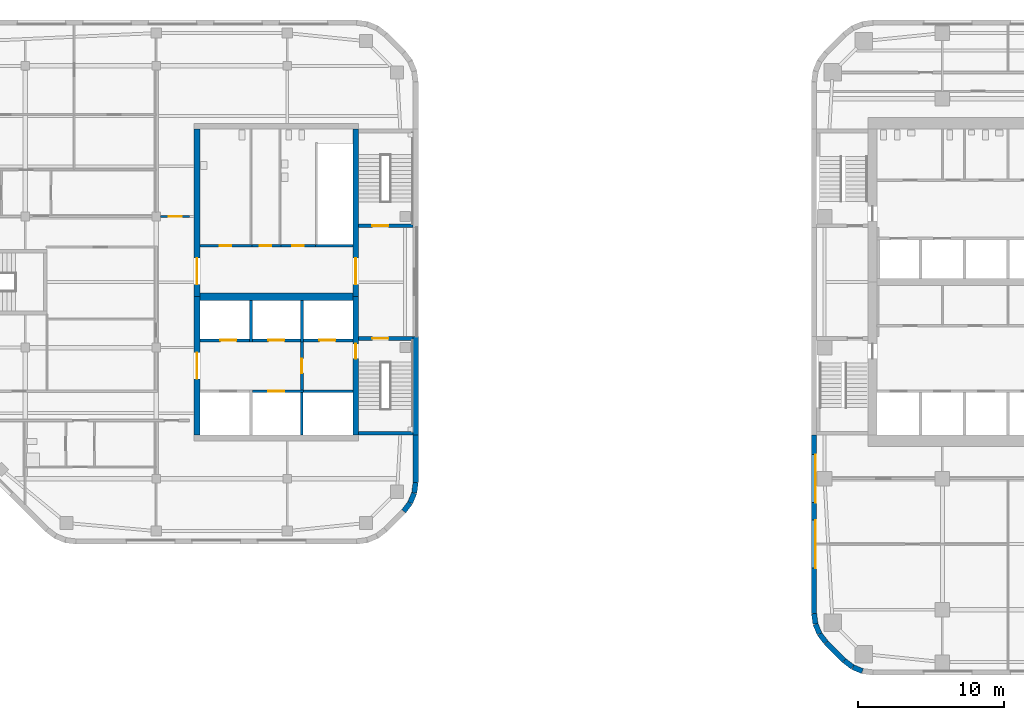
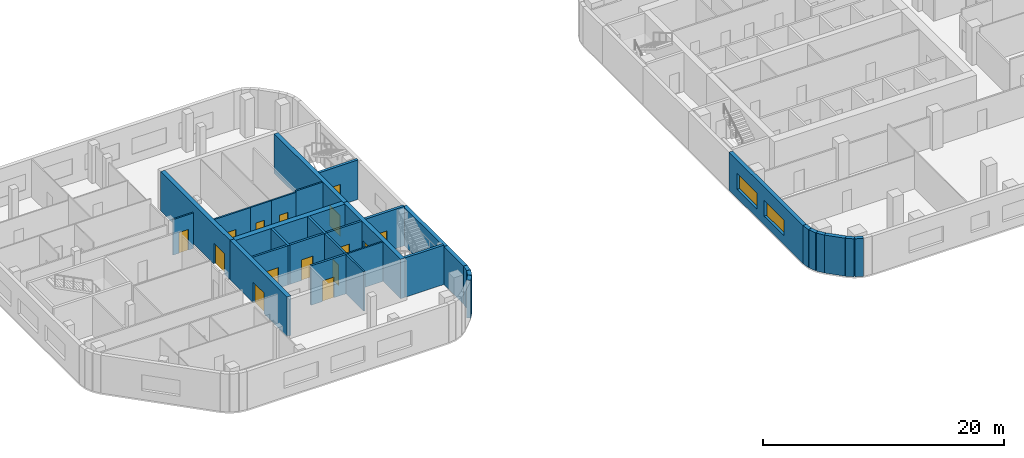
# One storey, part 6 of 14: 34 walls, 15 doors, 2 windows, 17 openings.
"""IFC4 building model written with IfcOpenShell, lengths in metres."""

from ifc_helpers import new_model, si_unit, direction, frame, frame_2d, origin, place, context, subcontext, project, spatial, rectangle, extrude, material, layer, layer_set, type_object, element, fill, save


model = new_model("IFC4")

# Units and contexts
model_context = context("Model", 3, precision=1e-05, world=origin(), true_north=direction((0.0, 1.0)))
body_context = subcontext(model_context, "Body", "Model", "MODEL_VIEW")
ifc_project = project(units=[si_unit("LENGTHUNIT", "METRE"), si_unit("AREAUNIT", "SQUARE_METRE"), si_unit("VOLUMEUNIT", "CUBIC_METRE"), si_unit("PLANEANGLEUNIT", "RADIAN"), si_unit("MASSUNIT", "GRAM", prefix="KILO")], contexts=[model_context])

# Site, building, storey
site_placement = place(None, origin())
site = spatial("IfcSite", under=ifc_project, at=site_placement, CompositionType="ELEMENT")
building_placement = place(site_placement, origin())
building = spatial("IfcBuilding", under=site, at=building_placement, Name="Cinnabar Reach Civic Tower", CompositionType="ELEMENT")
storey_placement = place(building_placement, frame((0.0, 0.0, 112.0)))
storey = spatial("IfcBuildingStorey", under=building, at=storey_placement, Name="L26", CompositionType="ELEMENT", Elevation=112.0)

# Walls
ifc_material_1 = material(Name="Facing brick with insulated backing", Category="masonry")
ifc_layer_1 = layer(ifc_material_1, 0.36)
ifc_layer_set_1 = layer_set([ifc_layer_1], Name="Brick corner wall")
wall_type_1 = type_object("IfcWallType", Name="Brick corner wall", PredefinedType="STANDARD", material=ifc_layer_set_1)
for number, where, z_axis, x_axis, name in (
    (1, (0.183, 8.7314, 0.0), (0.0, 0.0, 1.0), (0.13055608231, -0.99144092581, 0.0), "Brick corner wall"),
    (2, (0.2819, 8.0027, 0.0), (0.0, 0.0, 1.0), (0.382702709855, -0.923871547278, 0.0), "Brick corner wall"),
):
    element("IfcWall", number, at=place(storey_placement, frame(where, z_axis=z_axis, x_axis=x_axis)), inside=storey, type_object=wall_type_1, Name=name, PredefinedType="STANDARD", context=body_context, shape_type="SweptSolid", body=[
        extrude(rectangle(XDim=0.7131, YDim=0.36, at=frame_2d((0.3565, 0.0))), origin(), (0.0, 0.0, 1.0), 3.85),
    ])
for number, where, z_axis, x_axis, name in (
    (3, (0.566, 7.3245, 0.0), (0.0, 0.0, 1.0), (0.608802368033, -0.793321924995, 0.0), "Brick corner wall"),
    (4, (2.2587, 5.5002, 0.0), (0.0, 0.0, 1.0), (0.793321924995, -0.608802368033, 0.0), "Brick corner wall"),
):
    element("IfcWall", number, at=place(storey_placement, frame(where, z_axis=z_axis, x_axis=x_axis)), inside=storey, type_object=wall_type_1, Name=name, PredefinedType="STANDARD", context=body_context, shape_type="SweptSolid", body=[
        extrude(rectangle(XDim=0.7132, YDim=0.36, at=frame_2d((0.3566, 0.0))), origin(), (0.0, 0.0, 1.0), 3.85),
    ])
wall_1_placement = place(storey_placement, frame((2.8439, 5.0548, 0.0), z_axis=(0.0, 0.0, 1.0), x_axis=(0.923871547278, -0.382702709855, 0.0)))
element("IfcWall", 5, at=wall_1_placement, inside=storey, type_object=wall_type_1, Name="Brick corner wall", PredefinedType="STANDARD", context=body_context, shape_type="SweptSolid", body=[
    extrude(rectangle(XDim=0.7131, YDim=0.36, at=frame_2d((0.3565, 0.0))), origin(), (0.0, 0.0, 1.0), 3.85),
])
wall_2_placement = place(storey_placement, frame((-28.0002, 15.7587, 0.0), z_axis=(0.0, 0.0, 1.0), x_axis=(0.608802368033, 0.793321924995, 0.0)))
element("IfcWall", 6, at=wall_2_placement, inside=storey, type_object=wall_type_1, Name="Brick corner wall", PredefinedType="STANDARD", context=body_context, shape_type="SweptSolid", body=[
    extrude(rectangle(XDim=0.7132, YDim=0.36, at=frame_2d((0.3566, 0.0))), origin(), (0.0, 0.0, 1.0), 3.85),
])
for number, where, z_axis, x_axis, name in (
    (7, (-27.5548, 16.3439, 0.0), (0.0, 0.0, 1.0), (0.382702709855, 0.923871547278, 0.0), "Brick corner wall"),
    (8, (-27.2761, 17.0244, 0.0), (0.0, 0.0, 1.0), (0.13055608231, 0.99144092581, 0.0), "Brick corner wall"),
):
    element("IfcWall", number, at=place(storey_placement, frame(where, z_axis=z_axis, x_axis=x_axis)), inside=storey, type_object=wall_type_1, Name=name, PredefinedType="STANDARD", context=body_context, shape_type="SweptSolid", body=[
        extrude(rectangle(XDim=0.7131, YDim=0.36, at=frame_2d((0.3565, 0.0))), origin(), (0.0, 0.0, 1.0), 3.85),
    ])

# Wall, openings, windows
ifc_layer_2 = layer(ifc_material_1, 0.36)
ifc_layer_set_2 = layer_set([ifc_layer_2], Name="Brick pier and spandrel wall")
wall_type_2 = type_object("IfcWallType", Name="Brick pier and spandrel wall", PredefinedType="STANDARD", material=ifc_layer_set_2)
wall_3_placement = place(storey_placement, frame((0.18, 21.0, 0.0), z_axis=(0.0, 0.0, 1.0), x_axis=(0.0, -1.0, 0.0)))
wall_3 = element("IfcWall", 9, at=wall_3_placement, inside=storey, type_object=wall_type_2, Name="Brick facade wall", PredefinedType="STANDARD", context=body_context, shape_type="SweptSolid", body=[
    extrude(rectangle(XDim=12.2574, YDim=0.36, at=frame_2d((6.1287, 0.0))), origin(), (0.0, 0.0, 1.0), 3.85),
])
opening_1_placement = place(wall_3_placement, frame((1.35, 0.0, 0.9)))
opening_1 = element("IfcOpeningElement", 10, at=opening_1_placement, cuts=wall_3, Name="Opening W1565", PredefinedType="OPENING", context=body_context, shape_type="SweptSolid", body=[
    extrude(rectangle(XDim=3.3, YDim=1.6, at=frame_2d((1.65, 0.8))), frame((0.0, 0.19, 0.0), z_axis=(0.0, -1.0, 0.0), x_axis=(1.0, 0.0, 0.0)), (0.0, 0.0, 1.0), 0.38),
])
opening_2_placement = place(wall_3_placement, frame((5.85, 0.0, 0.9)))
opening_2 = element("IfcOpeningElement", 11, at=opening_2_placement, cuts=wall_3, Name="Opening W1566", PredefinedType="OPENING", context=body_context, shape_type="SweptSolid", body=[
    extrude(rectangle(XDim=3.3, YDim=1.6, at=frame_2d((1.65, 0.8))), frame((0.0, 0.19, 0.0), z_axis=(0.0, -1.0, 0.0), x_axis=(1.0, 0.0, 0.0)), (0.0, 0.0, 1.0), 0.38),
])
ifc_material_2 = material(Name="Clear double glazing in aluminium frame", Category="aluminium")
window_type = type_object("IfcWindowType", Name="Deep-set window A", PartitioningType="SINGLE_PANEL", PredefinedType="WINDOW", material=ifc_material_2)
window_1_placement = place(opening_1_placement, origin())
window_1 = element("IfcWindow", 12, at=window_1_placement, inside=storey, type_object=window_type, Name="Window west face", OverallHeight=1.6, OverallWidth=3.3, PartitioningType="SINGLE_PANEL", PredefinedType="WINDOW", context=body_context, shape_type="SweptSolid", body=[
    extrude(rectangle(XDim=3.3, YDim=1.6, at=frame_2d((1.65, 0.8))), frame((0.0, 0.13, 0.0), z_axis=(0.0, -1.0, 0.0), x_axis=(1.0, 0.0, 0.0)), (0.0, 0.0, 1.0), 0.06),
])
fill(opening_1, window_1)
window_2_placement = place(opening_2_placement, origin())
window_2 = element("IfcWindow", 13, at=window_2_placement, inside=storey, type_object=window_type, Name="Window west face", OverallHeight=1.6, OverallWidth=3.3, PartitioningType="SINGLE_PANEL", PredefinedType="WINDOW", context=body_context, shape_type="SweptSolid", body=[
    extrude(rectangle(XDim=3.3, YDim=1.6, at=frame_2d((1.65, 0.8))), frame((0.0, 0.13, 0.0), z_axis=(0.0, -1.0, 0.0), x_axis=(1.0, 0.0, 0.0)), (0.0, 0.0, 1.0), 0.06),
])
fill(opening_2, window_2)

# Walls
wall_4_placement = place(storey_placement, frame((1.006, 6.7486, 0.0), z_axis=(0.0, 0.0, 1.0), x_axis=(0.707106781187, -0.707106781187, 0.0)))
element("IfcWall", 14, at=wall_4_placement, inside=storey, type_object=wall_type_2, Name="Brick facade wall", PredefinedType="STANDARD", context=body_context, shape_type="SweptSolid", body=[
    extrude(rectangle(XDim=1.7573, YDim=0.36, at=frame_2d((0.8787, 0.0))), origin(), (0.0, 0.0, 1.0), 3.85),
])
wall_5_placement = place(storey_placement, frame((-27.18, 17.7426, 0.0), z_axis=(0.0, 0.0, 1.0), x_axis=(0.0, 1.0, 0.0)))
element("IfcWall", 15, at=wall_5_placement, inside=storey, type_object=wall_type_2, Name="Brick facade wall", PredefinedType="STANDARD", context=body_context, shape_type="SweptSolid", body=[
    extrude(rectangle(XDim=3.2574, YDim=0.36, at=frame_2d((1.6287, 0.0))), origin(), (0.0, 0.0, 1.0), 3.85),
])
wall_6_placement = place(storey_placement, frame((-27.18, 21.0, 0.0), z_axis=(0.0, 0.0, 1.0), x_axis=(0.0, 1.0, 0.0)))
element("IfcWall", 16, at=wall_6_placement, inside=storey, type_object=wall_type_2, Name="Brick facade wall", PredefinedType="STANDARD", context=body_context, shape_type="SweptSolid", body=[
    extrude(rectangle(XDim=6.75, YDim=0.36, at=frame_2d((3.375, 0.0))), origin(), (0.0, 0.0, 1.0), 3.85),
])

# Wall, opening, door
ifc_material_3 = material(Name="Concrete C60", Category="concrete")
ifc_layer_3 = layer(ifc_material_3, 0.4)
ifc_layer_set_3 = layer_set([ifc_layer_3], Name="Core wall 400 EI 180")
wall_type_3 = type_object("IfcWallType", Name="Core wall 400 EI 180", PredefinedType="SOLIDWALL", material=ifc_layer_set_3)
wall_7_placement = place(storey_placement, frame((-31.3, 21.0, 0.0), z_axis=(0.0, 0.0, 1.0), x_axis=(0.0, 1.0, 0.0)))
wall_7 = element("IfcWall", 17, at=wall_7_placement, inside=storey, type_object=wall_type_3, Name="Core wall T2 L26 E", PredefinedType="SOLIDWALL", context=body_context, shape_type="SweptSolid", body=[
    extrude(rectangle(XDim=9.5, YDim=0.4, at=frame_2d((4.75, 0.0))), origin(), (0.0, 0.0, 1.0), 4.0),
])
opening_3_placement = place(wall_7_placement, frame((5.25, 0.0, 0.0)))
opening_3 = element("IfcOpeningElement", 18, at=opening_3_placement, cuts=wall_7, Name="Opening D6948", PredefinedType="OPENING", context=body_context, shape_type="SweptSolid", body=[
    extrude(rectangle(XDim=1.0, YDim=2.1, at=frame_2d((0.5, 1.05))), frame((0.0, 0.21, 0.0), z_axis=(0.0, -1.0, 0.0), x_axis=(1.0, 0.0, 0.0)), (0.0, 0.0, 1.0), 0.42),
])
ifc_material_4 = material(Name="Steel fire door", Category="steel")
door_type_1 = type_object("IfcDoorType", Name="T2 Firefighting lobby door 1000", OperationType="SINGLE_SWING_LEFT", PredefinedType="DOOR", material=ifc_material_4)
door_1_placement = place(opening_3_placement, frame((1.0, 0.0, 0.0), z_axis=(0.0, 0.0, 1.0), x_axis=(-1.0, 0.0, 0.0)))
door_1 = element("IfcDoor", 19, at=door_1_placement, inside=storey, type_object=door_type_1, Name="T2 Firefighting lobby door D6948", OperationType="SINGLE_SWING_LEFT", OverallHeight=2.1, OverallWidth=1.0, PredefinedType="DOOR", context=body_context, shape_type="SweptSolid", body=[
    extrude(rectangle(XDim=1.0, YDim=2.1, at=frame_2d((0.5, 1.05))), frame((0.0, 0.025, 0.0), z_axis=(0.0, -1.0, 0.0), x_axis=(1.0, 0.0, 0.0)), (0.0, 0.0, 1.0), 0.05),
])
fill(opening_3, door_1)

wall_8_placement = place(storey_placement, frame((-31.3, 30.5, 0.0), z_axis=(0.0, 0.0, 1.0), x_axis=(0.0, 1.0, 0.0)))
wall_8 = element("IfcWall", 20, at=wall_8_placement, inside=storey, type_object=wall_type_3, Name="Core wall T2 L26 E2", PredefinedType="SOLIDWALL", context=body_context, shape_type="SweptSolid", body=[
    extrude(rectangle(XDim=11.5, YDim=0.4, at=frame_2d((5.75, 0.0))), origin(), (0.0, 0.0, 1.0), 4.0),
])
opening_4_placement = place(wall_8_placement, frame((0.85, 0.0, 0.0)))
opening_4 = element("IfcOpeningElement", 21, at=opening_4_placement, cuts=wall_8, Name="Opening D6951", PredefinedType="OPENING", context=body_context, shape_type="SweptSolid", body=[
    extrude(rectangle(XDim=1.8, YDim=2.1, at=frame_2d((0.9, 1.05))), frame((0.0, 0.21, 0.0), z_axis=(0.0, -1.0, 0.0), x_axis=(1.0, 0.0, 0.0)), (0.0, 0.0, 1.0), 0.42),
])
door_type_2 = type_object("IfcDoorType", Name="T2 Double door 1800", OperationType="DOUBLE_DOOR_SINGLE_SWING", PredefinedType="DOOR", material=ifc_material_4)
door_2_placement = place(opening_4_placement, origin())
door_2 = element("IfcDoor", 22, at=door_2_placement, inside=storey, type_object=door_type_2, Name="T2 Double door D6951", OperationType="DOUBLE_DOOR_SINGLE_SWING", OverallHeight=2.1, OverallWidth=1.8, PredefinedType="DOOR", context=body_context, shape_type="SweptSolid", body=[
    extrude(rectangle(XDim=1.8, YDim=2.1, at=frame_2d((0.9, 1.05))), frame((0.0, 0.025, 0.0), z_axis=(0.0, -1.0, 0.0), x_axis=(1.0, 0.0, 0.0)), (0.0, 0.0, 1.0), 0.05),
])
fill(opening_4, door_2)

wall_9_placement = place(storey_placement, frame((-42.2, 42.0, 0.0), z_axis=(0.0, 0.0, 1.0), x_axis=(0.0, -1.0, 0.0)))
wall_9 = element("IfcWall", 23, at=wall_9_placement, inside=storey, type_object=wall_type_3, Name="Core wall T2 L26 W", PredefinedType="SOLIDWALL", context=body_context, shape_type="SweptSolid", body=[
    extrude(rectangle(XDim=11.5, YDim=0.4, at=frame_2d((5.75, 0.0))), origin(), (0.0, 0.0, 1.0), 4.0),
])
opening_5_placement = place(wall_9_placement, frame((8.85, 0.0, 0.0)))
opening_5 = element("IfcOpeningElement", 24, at=opening_5_placement, cuts=wall_9, Name="Opening D6953", PredefinedType="OPENING", context=body_context, shape_type="SweptSolid", body=[
    extrude(rectangle(XDim=1.8, YDim=2.1, at=frame_2d((0.9, 1.05))), frame((0.0, 0.21, 0.0), z_axis=(0.0, -1.0, 0.0), x_axis=(1.0, 0.0, 0.0)), (0.0, 0.0, 1.0), 0.42),
])
door_3_placement = place(opening_5_placement, frame((1.8, 0.0, 0.0), z_axis=(0.0, 0.0, 1.0), x_axis=(-1.0, 0.0, 0.0)))
door_3 = element("IfcDoor", 25, at=door_3_placement, inside=storey, type_object=door_type_2, Name="T2 Double door D6953", OperationType="DOUBLE_DOOR_SINGLE_SWING", OverallHeight=2.1, OverallWidth=1.8, PredefinedType="DOOR", context=body_context, shape_type="SweptSolid", body=[
    extrude(rectangle(XDim=1.8, YDim=2.1, at=frame_2d((0.9, 1.05))), frame((0.0, 0.025, 0.0), z_axis=(0.0, -1.0, 0.0), x_axis=(1.0, 0.0, 0.0)), (0.0, 0.0, 1.0), 0.05),
])
fill(opening_5, door_3)

wall_10_placement = place(storey_placement, frame((-42.2, 30.5, 0.0), z_axis=(0.0, 0.0, 1.0), x_axis=(0.0, -1.0, 0.0)))
wall_10 = element("IfcWall", 26, at=wall_10_placement, inside=storey, type_object=wall_type_3, Name="Core wall T2 L26 W2", PredefinedType="SOLIDWALL", context=body_context, shape_type="SweptSolid", body=[
    extrude(rectangle(XDim=9.5, YDim=0.4, at=frame_2d((4.75, 0.0))), origin(), (0.0, 0.0, 1.0), 4.0),
])
opening_6_placement = place(wall_10_placement, frame((3.85, 0.0, 0.0)))
opening_6 = element("IfcOpeningElement", 27, at=opening_6_placement, cuts=wall_10, Name="Opening D6952", PredefinedType="OPENING", context=body_context, shape_type="SweptSolid", body=[
    extrude(rectangle(XDim=1.8, YDim=2.1, at=frame_2d((0.9, 1.05))), frame((0.0, 0.21, 0.0), z_axis=(0.0, -1.0, 0.0), x_axis=(1.0, 0.0, 0.0)), (0.0, 0.0, 1.0), 0.42),
])
door_4_placement = place(opening_6_placement, origin())
door_4 = element("IfcDoor", 28, at=door_4_placement, inside=storey, type_object=door_type_2, Name="T2 Double door D6952", OperationType="DOUBLE_DOOR_SINGLE_SWING", OverallHeight=2.1, OverallWidth=1.8, PredefinedType="DOOR", context=body_context, shape_type="SweptSolid", body=[
    extrude(rectangle(XDim=1.8, YDim=2.1, at=frame_2d((0.9, 1.05))), frame((0.0, 0.025, 0.0), z_axis=(0.0, -1.0, 0.0), x_axis=(1.0, 0.0, 0.0)), (0.0, 0.0, 1.0), 0.05),
])
fill(opening_6, door_4)

# Wall
ifc_layer_4 = layer(ifc_material_3, 0.5)
ifc_layer_set_4 = layer_set([ifc_layer_4], Name="Core wall 500 EI 180")
wall_type_4 = type_object("IfcWallType", Name="Core wall 500 EI 180", PredefinedType="SOLIDWALL", material=ifc_layer_set_4)
wall_11_placement = place(storey_placement, frame((-42.0, 30.5, 0.0), z_axis=(0.0, 0.0, 1.0), x_axis=(1.0, 0.0, 0.0)))
element("IfcWall", 29, at=wall_11_placement, inside=storey, type_object=wall_type_4, Name="Core spine wall T2 L26", PredefinedType="SOLIDWALL", context=body_context, shape_type="SweptSolid", body=[
    extrude(rectangle(XDim=10.5, YDim=0.5, at=frame_2d((5.25, 0.0))), origin(), (0.0, 0.0, 1.0), 4.0),
])

# Wall, opening, door
ifc_material_5 = material(Name="Gypsum board on steel studs, double layer", Category="steel")
ifc_layer_5 = layer(ifc_material_5, 0.15)
ifc_layer_set_5 = layer_set([ifc_layer_5], Name="Corridor wall 150 T2")
wall_type_5 = type_object("IfcWallType", Name="Corridor wall 150 T2", PredefinedType="PARTITIONING", material=ifc_layer_set_5)
wall_12_placement = place(storey_placement, frame((-44.7, 36.0, 0.0), z_axis=(0.0, 0.0, 1.0), x_axis=(1.0, 0.0, 0.0)))
wall_12 = element("IfcWall", 30, at=wall_12_placement, inside=storey, type_object=wall_type_5, Name="Corridor wall 1", PredefinedType="PARTITIONING", context=body_context, shape_type="SweptSolid", body=[
    extrude(rectangle(XDim=1.975, YDim=0.15, at=frame_2d((0.9875, 0.0))), origin(), (0.0, 0.0, 1.0), 3.602),
])
opening_7_placement = place(wall_12_placement, frame((0.55, 0.0, 0.0)))
opening_7 = element("IfcOpeningElement", 31, at=opening_7_placement, cuts=wall_12, Name="Opening D6957", PredefinedType="OPENING", context=body_context, shape_type="SweptSolid", body=[
    extrude(rectangle(XDim=0.9, YDim=2.1, at=frame_2d((0.45, 1.05))), frame((0.0, 0.085, 0.0), z_axis=(0.0, -1.0, 0.0), x_axis=(1.0, 0.0, 0.0)), (0.0, 0.0, 1.0), 0.17),
])
ifc_material_6 = material(Name="Timber door leaf in steel frame", Category="steel")
door_type_3 = type_object("IfcDoorType", Name="Single swing door 900 x 2100 T2", OperationType="SINGLE_SWING_LEFT", PredefinedType="DOOR", material=ifc_material_6)
door_5_placement = place(opening_7_placement, origin())
door_5 = element("IfcDoor", 32, at=door_5_placement, inside=storey, type_object=door_type_3, Name="Door D6957", OperationType="SINGLE_SWING_RIGHT", OverallHeight=2.1, OverallWidth=0.9, PredefinedType="DOOR", context=body_context, shape_type="SweptSolid", body=[
    extrude(rectangle(XDim=0.9, YDim=2.1, at=frame_2d((0.45, 1.05))), frame((0.0, 0.025, 0.0), z_axis=(0.0, -1.0, 0.0), x_axis=(1.0, 0.0, 0.0)), (0.0, 0.0, 1.0), 0.05),
])
fill(opening_7, door_5)

# Wall
ifc_layer_6 = layer(ifc_material_3, 0.25)
ifc_layer_set_6 = layer_set([ifc_layer_6], Name="Stair shaft wall 250 EI 120")
wall_type_6 = type_object("IfcWallType", Name="Stair shaft wall 250 EI 120", PredefinedType="SOLIDWALL", material=ifc_layer_set_6)
wall_13_placement = place(storey_placement, frame((-31.1, 21.125, 0.0), z_axis=(0.0, 0.0, 1.0), x_axis=(1.0, 0.0, 0.0)))
element("IfcWall", 33, at=wall_13_placement, inside=storey, type_object=wall_type_6, Name="Stair shaft wall T2-S1 L26", PredefinedType="SOLIDWALL", context=body_context, shape_type="SweptSolid", body=[
    extrude(rectangle(XDim=3.74, YDim=0.25, at=frame_2d((1.87, 0.0))), origin(), (0.0, 0.0, 1.0), 4.0),
])

# Wall, opening, door
wall_14_placement = place(storey_placement, frame((-27.36, 27.625, 0.0), z_axis=(0.0, 0.0, 1.0), x_axis=(-1.0, 0.0, 0.0)))
wall_14 = element("IfcWall", 34, at=wall_14_placement, inside=storey, type_object=wall_type_6, Name="Stair shaft wall T2-S1 L26", PredefinedType="SOLIDWALL", context=body_context, shape_type="SweptSolid", body=[
    extrude(rectangle(XDim=3.74, YDim=0.25, at=frame_2d((1.87, 0.0))), origin(), (0.0, 0.0, 1.0), 4.0),
])
opening_8_placement = place(wall_14_placement, frame((1.69, 0.0, 0.0)))
opening_8 = element("IfcOpeningElement", 35, at=opening_8_placement, cuts=wall_14, Name="Opening D6949", PredefinedType="OPENING", context=body_context, shape_type="SweptSolid", body=[
    extrude(rectangle(XDim=1.1, YDim=2.1, at=frame_2d((0.55, 1.05))), frame((0.0, 0.135, 0.0), z_axis=(0.0, -1.0, 0.0), x_axis=(1.0, 0.0, 0.0)), (0.0, 0.0, 1.0), 0.27),
])
door_type_4 = type_object("IfcDoorType", Name="T2 Stair door 1100", OperationType="SINGLE_SWING_LEFT", PredefinedType="DOOR", material=ifc_material_4)
door_6_placement = place(opening_8_placement, origin())
door_6 = element("IfcDoor", 36, at=door_6_placement, inside=storey, type_object=door_type_4, Name="T2 Stair door D6949", OperationType="SINGLE_SWING_LEFT", OverallHeight=2.1, OverallWidth=1.1, PredefinedType="DOOR", context=body_context, shape_type="SweptSolid", body=[
    extrude(rectangle(XDim=1.1, YDim=2.1, at=frame_2d((0.55, 1.05))), frame((0.0, 0.025, 0.0), z_axis=(0.0, -1.0, 0.0), x_axis=(1.0, 0.0, 0.0)), (0.0, 0.0, 1.0), 0.05),
])
fill(opening_8, door_6)

wall_15_placement = place(storey_placement, frame((-31.1, 35.375, 0.0), z_axis=(0.0, 0.0, 1.0), x_axis=(1.0, 0.0, 0.0)))
wall_15 = element("IfcWall", 37, at=wall_15_placement, inside=storey, type_object=wall_type_6, Name="Stair shaft wall T2-S2 L26", PredefinedType="SOLIDWALL", context=body_context, shape_type="SweptSolid", body=[
    extrude(rectangle(XDim=3.74, YDim=0.25, at=frame_2d((1.87, 0.0))), origin(), (0.0, 0.0, 1.0), 4.0),
])
opening_9_placement = place(wall_15_placement, frame((0.95, 0.0, 0.0)))
opening_9 = element("IfcOpeningElement", 38, at=opening_9_placement, cuts=wall_15, Name="Opening D6950", PredefinedType="OPENING", context=body_context, shape_type="SweptSolid", body=[
    extrude(rectangle(XDim=1.1, YDim=2.1, at=frame_2d((0.55, 1.05))), frame((0.0, 0.135, 0.0), z_axis=(0.0, -1.0, 0.0), x_axis=(1.0, 0.0, 0.0)), (0.0, 0.0, 1.0), 0.27),
])
door_7_placement = place(opening_9_placement, origin())
door_7 = element("IfcDoor", 39, at=door_7_placement, inside=storey, type_object=door_type_4, Name="T2 Stair door D6950", OperationType="SINGLE_SWING_LEFT", OverallHeight=2.1, OverallWidth=1.1, PredefinedType="DOOR", context=body_context, shape_type="SweptSolid", body=[
    extrude(rectangle(XDim=1.1, YDim=2.1, at=frame_2d((0.55, 1.05))), frame((0.0, 0.025, 0.0), z_axis=(0.0, -1.0, 0.0), x_axis=(1.0, 0.0, 0.0)), (0.0, 0.0, 1.0), 0.05),
])
fill(opening_9, door_7)

ifc_material_7 = material(Name="Masonry block partition", Category="masonry")
ifc_layer_7 = layer(ifc_material_7, 0.15)
ifc_layer_set_7 = layer_set([ifc_layer_7], Name="T2 Corridor wall 150")
wall_type_7 = type_object("IfcWallType", Name="T2 Corridor wall 150", PredefinedType="PARTITIONING", material=ifc_layer_set_7)
wall_16_placement = place(storey_placement, frame((-38.425, 34.0, 0.0), z_axis=(0.0, 0.0, 1.0), x_axis=(-1.0, 0.0, 0.0)))
wall_16 = element("IfcWall", 40, at=wall_16_placement, inside=storey, type_object=wall_type_7, Name="T2 Corridor wall L26 014", PredefinedType="PARTITIONING", context=body_context, shape_type="SweptSolid", body=[
    extrude(rectangle(XDim=3.575, YDim=0.15, at=frame_2d((1.7875, 0.0))), origin(), (0.0, 0.0, 1.0), 3.85),
])
opening_10_placement = place(wall_16_placement, frame((1.425, 0.0, 0.0)))
opening_10 = element("IfcOpeningElement", 41, at=opening_10_placement, cuts=wall_16, Name="Opening D6954", PredefinedType="OPENING", context=body_context, shape_type="SweptSolid", body=[
    extrude(rectangle(XDim=0.8, YDim=2.1, at=frame_2d((0.4, 1.05))), frame((0.0, 0.085, 0.0), z_axis=(0.0, -1.0, 0.0), x_axis=(1.0, 0.0, 0.0)), (0.0, 0.0, 1.0), 0.17),
])
ifc_material_8 = material(Name="Timber door leaf", Category="wood")
door_type_5 = type_object("IfcDoorType", Name="T2 Bathroom door 800", OperationType="SINGLE_SWING_LEFT", PredefinedType="DOOR", material=ifc_material_8)
door_8_placement = place(opening_10_placement, frame((0.8, 0.0, 0.0), z_axis=(0.0, 0.0, 1.0), x_axis=(-1.0, 0.0, 0.0)))
door_8 = element("IfcDoor", 42, at=door_8_placement, inside=storey, type_object=door_type_5, Name="T2 Bathroom door D6954", OperationType="SINGLE_SWING_RIGHT", OverallHeight=2.1, OverallWidth=0.8, PredefinedType="DOOR", context=body_context, shape_type="SweptSolid", body=[
    extrude(rectangle(XDim=0.8, YDim=2.1, at=frame_2d((0.4, 1.05))), frame((0.0, 0.025, 0.0), z_axis=(0.0, -1.0, 0.0), x_axis=(1.0, 0.0, 0.0)), (0.0, 0.0, 1.0), 0.05),
])
fill(opening_10, door_8)

wall_17_placement = place(storey_placement, frame((-36.425, 34.0, 0.0), z_axis=(0.0, 0.0, 1.0), x_axis=(-1.0, 0.0, 0.0)))
wall_17 = element("IfcWall", 43, at=wall_17_placement, inside=storey, type_object=wall_type_7, Name="T2 Corridor wall L26 015", PredefinedType="PARTITIONING", context=body_context, shape_type="SweptSolid", body=[
    extrude(rectangle(XDim=2.0, YDim=0.15, at=frame_2d((1.0, 0.0))), origin(), (0.0, 0.0, 1.0), 3.85),
])
opening_11_placement = place(wall_17_placement, frame((0.675, 0.0, 0.0)))
opening_11 = element("IfcOpeningElement", 44, at=opening_11_placement, cuts=wall_17, Name="Opening D6955", PredefinedType="OPENING", context=body_context, shape_type="SweptSolid", body=[
    extrude(rectangle(XDim=0.8, YDim=2.1, at=frame_2d((0.4, 1.05))), frame((0.0, 0.085, 0.0), z_axis=(0.0, -1.0, 0.0), x_axis=(1.0, 0.0, 0.0)), (0.0, 0.0, 1.0), 0.17),
])
door_9_placement = place(opening_11_placement, frame((0.8, 0.0, 0.0), z_axis=(0.0, 0.0, 1.0), x_axis=(-1.0, 0.0, 0.0)))
door_9 = element("IfcDoor", 45, at=door_9_placement, inside=storey, type_object=door_type_5, Name="T2 Bathroom door D6955", OperationType="SINGLE_SWING_LEFT", OverallHeight=2.1, OverallWidth=0.8, PredefinedType="DOOR", context=body_context, shape_type="SweptSolid", body=[
    extrude(rectangle(XDim=0.8, YDim=2.1, at=frame_2d((0.4, 1.05))), frame((0.0, 0.025, 0.0), z_axis=(0.0, -1.0, 0.0), x_axis=(1.0, 0.0, 0.0)), (0.0, 0.0, 1.0), 0.05),
])
fill(opening_11, door_9)

wall_18_placement = place(storey_placement, frame((-34.075, 34.0, 0.0), z_axis=(0.0, 0.0, 1.0), x_axis=(-1.0, 0.0, 0.0)))
wall_18 = element("IfcWall", 46, at=wall_18_placement, inside=storey, type_object=wall_type_7, Name="T2 Corridor wall L26 016", PredefinedType="PARTITIONING", context=body_context, shape_type="SweptSolid", body=[
    extrude(rectangle(XDim=2.35, YDim=0.15, at=frame_2d((1.175, 0.0))), origin(), (0.0, 0.0, 1.0), 3.85),
])
opening_12_placement = place(wall_18_placement, frame((0.775, 0.0, 0.0)))
opening_12 = element("IfcOpeningElement", 47, at=opening_12_placement, cuts=wall_18, Name="Opening D6956", PredefinedType="OPENING", context=body_context, shape_type="SweptSolid", body=[
    extrude(rectangle(XDim=0.8, YDim=2.1, at=frame_2d((0.4, 1.05))), frame((0.0, 0.085, 0.0), z_axis=(0.0, -1.0, 0.0), x_axis=(1.0, 0.0, 0.0)), (0.0, 0.0, 1.0), 0.17),
])
door_10_placement = place(opening_12_placement, frame((0.8, 0.0, 0.0), z_axis=(0.0, 0.0, 1.0), x_axis=(-1.0, 0.0, 0.0)))
door_10 = element("IfcDoor", 48, at=door_10_placement, inside=storey, type_object=door_type_5, Name="T2 Bathroom door D6956", OperationType="SINGLE_SWING_RIGHT", OverallHeight=2.1, OverallWidth=0.8, PredefinedType="DOOR", context=body_context, shape_type="SweptSolid", body=[
    extrude(rectangle(XDim=0.8, YDim=2.1, at=frame_2d((0.4, 1.05))), frame((0.0, 0.025, 0.0), z_axis=(0.0, -1.0, 0.0), x_axis=(1.0, 0.0, 0.0)), (0.0, 0.0, 1.0), 0.05),
])
fill(opening_12, door_10)

# Walls
ifc_material_9 = material(Name="Concrete C40", Category="concrete")
ifc_layer_8 = layer(ifc_material_9, 0.15)
ifc_layer_set_8 = layer_set([ifc_layer_8], Name="T2 Riser wall 150")
wall_type_8 = type_object("IfcWallType", Name="T2 Riser wall 150", PredefinedType="SOLIDWALL", material=ifc_layer_set_8)
wall_19_placement = place(storey_placement, frame((-35.0, 21.0, 0.0), z_axis=(0.0, 0.0, 1.0), x_axis=(0.0, 1.0, 0.0)))
element("IfcWall", 49, at=wall_19_placement, inside=storey, type_object=wall_type_8, Name="T2 Riser wall L26 010", PredefinedType="SOLIDWALL", context=body_context, shape_type="SweptSolid", body=[
    extrude(rectangle(XDim=2.9, YDim=0.15, at=frame_2d((1.45, 0.0))), origin(), (0.0, 0.0, 1.0), 4.0),
])
wall_20_placement = place(storey_placement, frame((-31.5, 24.0, 0.0), z_axis=(0.0, 0.0, 1.0), x_axis=(-1.0, 0.0, 0.0)))
element("IfcWall", 50, at=wall_20_placement, inside=storey, type_object=wall_type_8, Name="T2 Riser wall L26 011", PredefinedType="SOLIDWALL", context=body_context, shape_type="SweptSolid", body=[
    extrude(rectangle(XDim=3.4, YDim=0.15, at=frame_2d((1.7, 0.0))), origin(), (0.0, 0.0, 1.0), 4.0),
])
wall_21_placement = place(storey_placement, frame((-34.075, 34.0, 0.0), z_axis=(0.0, 0.0, 1.0), x_axis=(1.0, 0.0, 0.0)))
element("IfcWall", 51, at=wall_21_placement, inside=storey, type_object=wall_type_8, Name="T2 Riser wall L26 012", PredefinedType="SOLIDWALL", context=body_context, shape_type="SweptSolid", body=[
    extrude(rectangle(XDim=2.575, YDim=0.15, at=frame_2d((1.2875, 0.0))), origin(), (0.0, 0.0, 1.0), 4.0),
])

# Wall, opening, door
ifc_layer_9 = layer(ifc_material_9, 0.2)
ifc_layer_set_9 = layer_set([ifc_layer_9], Name="T2 Shaft wall 200")
wall_type_9 = type_object("IfcWallType", Name="T2 Shaft wall 200", PredefinedType="SOLIDWALL", material=ifc_layer_set_9)
wall_22_placement = place(storey_placement, frame((-34.9, 24.0, 0.0), z_axis=(0.0, 0.0, 1.0), x_axis=(-1.0, 0.0, 0.0)))
wall_22 = element("IfcWall", 52, at=wall_22_placement, inside=storey, type_object=wall_type_9, Name="T2 Shaft wall L26 003", PredefinedType="SOLIDWALL", context=body_context, shape_type="SweptSolid", body=[
    extrude(rectangle(XDim=3.5, YDim=0.2, at=frame_2d((1.75, 0.0))), origin(), (0.0, 0.0, 1.0), 4.0),
])
opening_13_placement = place(wall_22_placement, frame((1.3, 0.0, 0.0)))
opening_13 = element("IfcOpeningElement", 53, at=opening_13_placement, cuts=wall_22, Name="Opening D6943", PredefinedType="OPENING", context=body_context, shape_type="SweptSolid", body=[
    extrude(rectangle(XDim=1.1, YDim=2.1, at=frame_2d((0.55, 1.05))), frame((0.0, 0.11, 0.0), z_axis=(0.0, -1.0, 0.0), x_axis=(1.0, 0.0, 0.0)), (0.0, 0.0, 1.0), 0.22),
])
door_type_6 = type_object("IfcDoorType", Name="T2 Lift landing door 1100", OperationType="SLIDING_TO_LEFT", PredefinedType="DOOR", material=ifc_material_4)
door_11_placement = place(opening_13_placement, origin())
door_11 = element("IfcDoor", 54, at=door_11_placement, inside=storey, type_object=door_type_6, Name="T2 Lift landing door D6943", OperationType="SLIDING_TO_LEFT", OverallHeight=2.1, OverallWidth=1.1, PredefinedType="DOOR", context=body_context, shape_type="SweptSolid", body=[
    extrude(rectangle(XDim=1.1, YDim=2.1, at=frame_2d((0.55, 1.05))), frame((0.0, 0.025, 0.0), z_axis=(0.0, -1.0, 0.0), x_axis=(1.0, 0.0, 0.0)), (0.0, 0.0, 1.0), 0.05),
])
fill(opening_13, door_11)

# Wall
wall_23_placement = place(storey_placement, frame((-38.5, 27.4, 0.0), z_axis=(0.0, 0.0, 1.0), x_axis=(0.0, 1.0, 0.0)))
element("IfcWall", 55, at=wall_23_placement, inside=storey, type_object=wall_type_9, Name="T2 Shaft wall L26 004", PredefinedType="SOLIDWALL", context=body_context, shape_type="SweptSolid", body=[
    extrude(rectangle(XDim=2.85, YDim=0.2, at=frame_2d((1.425, 0.0))), origin(), (0.0, 0.0, 1.0), 4.0),
])

# Wall, opening, door
wall_24_placement = place(storey_placement, frame((-42.0, 27.5, 0.0), z_axis=(0.0, 0.0, 1.0), x_axis=(1.0, 0.0, 0.0)))
wall_24 = element("IfcWall", 56, at=wall_24_placement, inside=storey, type_object=wall_type_9, Name="T2 Shaft wall L26 005", PredefinedType="SOLIDWALL", context=body_context, shape_type="SweptSolid", body=[
    extrude(rectangle(XDim=3.4, YDim=0.2, at=frame_2d((1.7, 0.0))), origin(), (0.0, 0.0, 1.0), 4.0),
])
opening_14_placement = place(wall_24_placement, frame((1.4, 0.0, 0.0)))
opening_14 = element("IfcOpeningElement", 57, at=opening_14_placement, cuts=wall_24, Name="Opening D6944", PredefinedType="OPENING", context=body_context, shape_type="SweptSolid", body=[
    extrude(rectangle(XDim=1.1, YDim=2.1, at=frame_2d((0.55, 1.05))), frame((0.0, 0.11, 0.0), z_axis=(0.0, -1.0, 0.0), x_axis=(1.0, 0.0, 0.0)), (0.0, 0.0, 1.0), 0.22),
])
door_12_placement = place(opening_14_placement, origin())
door_12 = element("IfcDoor", 58, at=door_12_placement, inside=storey, type_object=door_type_6, Name="T2 Lift landing door D6944", OperationType="SLIDING_TO_LEFT", OverallHeight=2.1, OverallWidth=1.1, PredefinedType="DOOR", context=body_context, shape_type="SweptSolid", body=[
    extrude(rectangle(XDim=1.1, YDim=2.1, at=frame_2d((0.55, 1.05))), frame((0.0, 0.025, 0.0), z_axis=(0.0, -1.0, 0.0), x_axis=(1.0, 0.0, 0.0)), (0.0, 0.0, 1.0), 0.05),
])
fill(opening_14, door_12)

# Wall
wall_25_placement = place(storey_placement, frame((-35.0, 27.4, 0.0), z_axis=(0.0, 0.0, 1.0), x_axis=(0.0, 1.0, 0.0)))
element("IfcWall", 59, at=wall_25_placement, inside=storey, type_object=wall_type_9, Name="T2 Shaft wall L26 006", PredefinedType="SOLIDWALL", context=body_context, shape_type="SweptSolid", body=[
    extrude(rectangle(XDim=2.85, YDim=0.2, at=frame_2d((1.425, 0.0))), origin(), (0.0, 0.0, 1.0), 4.0),
])

# Wall, opening, door
wall_26_placement = place(storey_placement, frame((-38.4, 27.5, 0.0), z_axis=(0.0, 0.0, 1.0), x_axis=(1.0, 0.0, 0.0)))
wall_26 = element("IfcWall", 60, at=wall_26_placement, inside=storey, type_object=wall_type_9, Name="T2 Shaft wall L26 007", PredefinedType="SOLIDWALL", context=body_context, shape_type="SweptSolid", body=[
    extrude(rectangle(XDim=3.3, YDim=0.2, at=frame_2d((1.65, 0.0))), origin(), (0.0, 0.0, 1.0), 4.0),
])
opening_15_placement = place(wall_26_placement, frame((1.1, 0.0, 0.0)))
opening_15 = element("IfcOpeningElement", 61, at=opening_15_placement, cuts=wall_26, Name="Opening D6945", PredefinedType="OPENING", context=body_context, shape_type="SweptSolid", body=[
    extrude(rectangle(XDim=1.1, YDim=2.1, at=frame_2d((0.55, 1.05))), frame((0.0, 0.11, 0.0), z_axis=(0.0, -1.0, 0.0), x_axis=(1.0, 0.0, 0.0)), (0.0, 0.0, 1.0), 0.22),
])
door_13_placement = place(opening_15_placement, origin())
door_13 = element("IfcDoor", 62, at=door_13_placement, inside=storey, type_object=door_type_6, Name="T2 Lift landing door D6945", OperationType="SLIDING_TO_LEFT", OverallHeight=2.1, OverallWidth=1.1, PredefinedType="DOOR", context=body_context, shape_type="SweptSolid", body=[
    extrude(rectangle(XDim=1.1, YDim=2.1, at=frame_2d((0.55, 1.05))), frame((0.0, 0.025, 0.0), z_axis=(0.0, -1.0, 0.0), x_axis=(1.0, 0.0, 0.0)), (0.0, 0.0, 1.0), 0.05),
])
fill(opening_15, door_13)

wall_27_placement = place(storey_placement, frame((-34.9, 27.5, 0.0), z_axis=(0.0, 0.0, 1.0), x_axis=(1.0, 0.0, 0.0)))
wall_27 = element("IfcWall", 63, at=wall_27_placement, inside=storey, type_object=wall_type_9, Name="T2 Shaft wall L26 008", PredefinedType="SOLIDWALL", context=body_context, shape_type="SweptSolid", body=[
    extrude(rectangle(XDim=3.4, YDim=0.2, at=frame_2d((1.7, 0.0))), origin(), (0.0, 0.0, 1.0), 4.0),
])
opening_16_placement = place(wall_27_placement, frame((1.1, 0.0, 0.0)))
opening_16 = element("IfcOpeningElement", 64, at=opening_16_placement, cuts=wall_27, Name="Opening D6946", PredefinedType="OPENING", context=body_context, shape_type="SweptSolid", body=[
    extrude(rectangle(XDim=1.1, YDim=2.1, at=frame_2d((0.55, 1.05))), frame((0.0, 0.11, 0.0), z_axis=(0.0, -1.0, 0.0), x_axis=(1.0, 0.0, 0.0)), (0.0, 0.0, 1.0), 0.22),
])
door_type_7 = type_object("IfcDoorType", Name="T2 Firefighting lift landing door 1100", OperationType="SLIDING_TO_LEFT", PredefinedType="DOOR", material=ifc_material_4)
door_14_placement = place(opening_16_placement, origin())
door_14 = element("IfcDoor", 65, at=door_14_placement, inside=storey, type_object=door_type_7, Name="T2 Firefighting lift landing door D6946", OperationType="SLIDING_TO_LEFT", OverallHeight=2.1, OverallWidth=1.1, PredefinedType="DOOR", context=body_context, shape_type="SweptSolid", body=[
    extrude(rectangle(XDim=1.1, YDim=2.1, at=frame_2d((0.55, 1.05))), frame((0.0, 0.025, 0.0), z_axis=(0.0, -1.0, 0.0), x_axis=(1.0, 0.0, 0.0)), (0.0, 0.0, 1.0), 0.05),
])
fill(opening_16, door_14)

wall_28_placement = place(storey_placement, frame((-35.0, 24.1, 0.0), z_axis=(0.0, 0.0, 1.0), x_axis=(0.0, 1.0, 0.0)))
wall_28 = element("IfcWall", 66, at=wall_28_placement, inside=storey, type_object=wall_type_9, Name="T2 Shaft wall L26 009", PredefinedType="SOLIDWALL", context=body_context, shape_type="SweptSolid", body=[
    extrude(rectangle(XDim=3.3, YDim=0.2, at=frame_2d((1.65, 0.0))), origin(), (0.0, 0.0, 1.0), 4.0),
])
opening_17_placement = place(wall_28_placement, frame((1.15, 0.0, 0.0)))
opening_17 = element("IfcOpeningElement", 67, at=opening_17_placement, cuts=wall_28, Name="Opening D6947", PredefinedType="OPENING", context=body_context, shape_type="SweptSolid", body=[
    extrude(rectangle(XDim=1.0, YDim=2.1, at=frame_2d((0.5, 1.05))), frame((0.0, 0.11, 0.0), z_axis=(0.0, -1.0, 0.0), x_axis=(1.0, 0.0, 0.0)), (0.0, 0.0, 1.0), 0.22),
])
door_15_placement = place(opening_17_placement, origin())
door_15 = element("IfcDoor", 68, at=door_15_placement, inside=storey, type_object=door_type_1, Name="T2 Firefighting lobby door D6947", OperationType="SINGLE_SWING_LEFT", OverallHeight=2.1, OverallWidth=1.0, PredefinedType="DOOR", context=body_context, shape_type="SweptSolid", body=[
    extrude(rectangle(XDim=1.0, YDim=2.1, at=frame_2d((0.5, 1.05))), frame((0.0, 0.025, 0.0), z_axis=(0.0, -1.0, 0.0), x_axis=(1.0, 0.0, 0.0)), (0.0, 0.0, 1.0), 0.05),
])
fill(opening_17, door_15)

save(model, "model.ifc")
